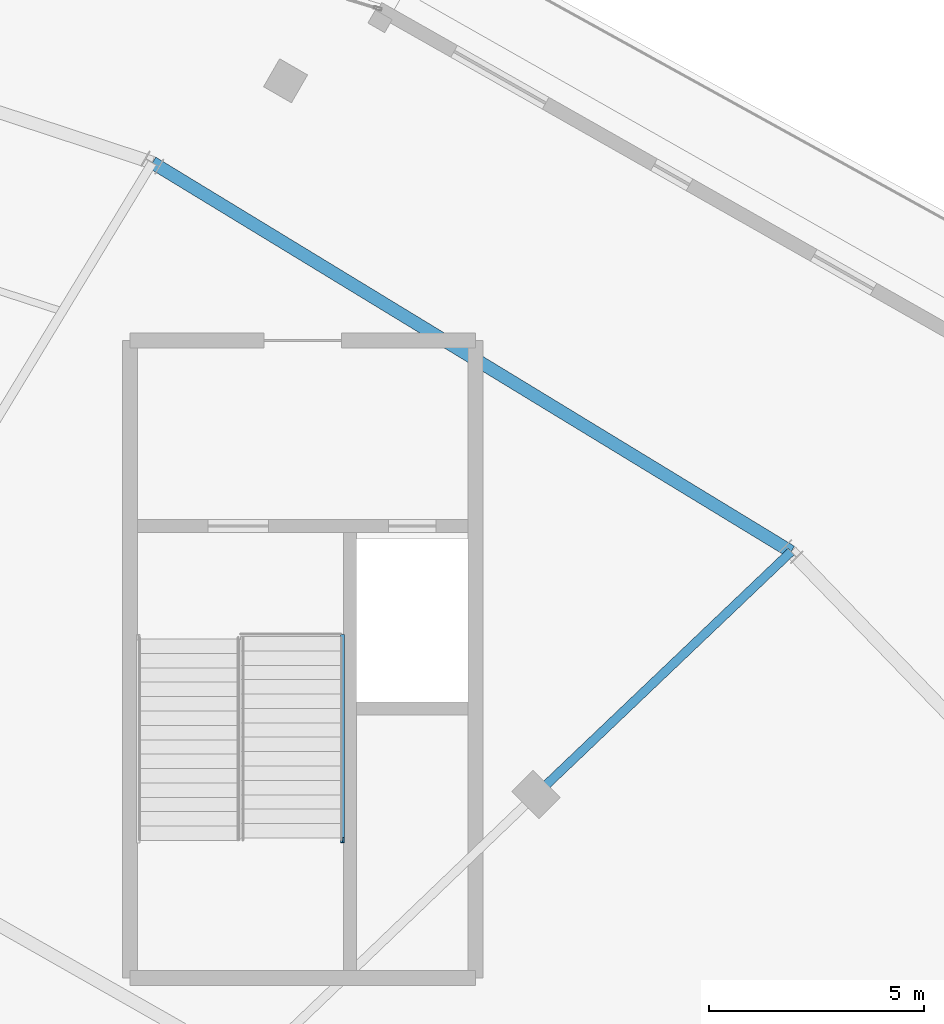
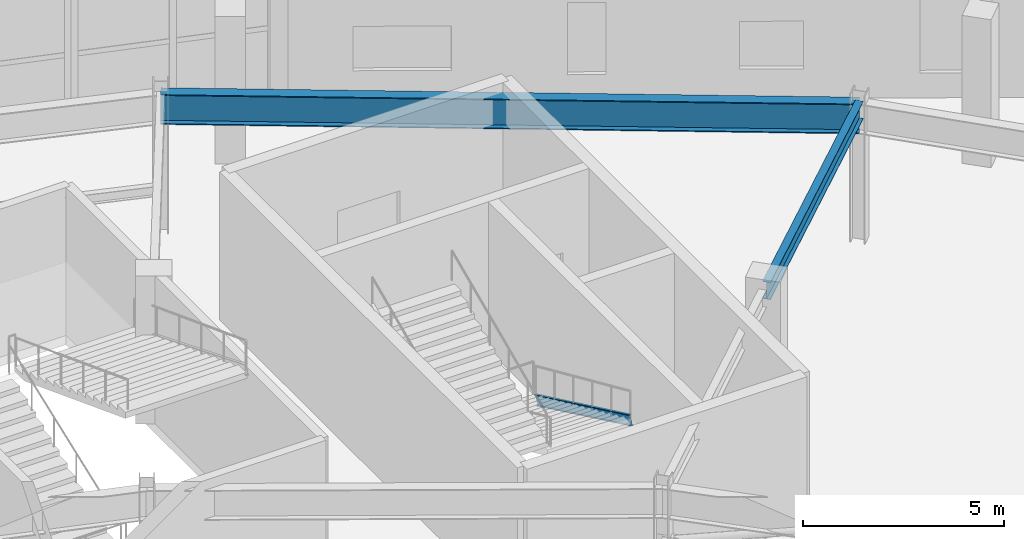
# One storey, part 70 of 123: 2 beams, 1 member.
"""IFC4 building model written with IfcOpenShell, lengths in metres."""

from ifc_helpers import new_model, si_unit, direction, frame, origin, origin_2d, place, context, subcontext, project, spatial, i_section, extrude, material, material_profile, profile_set, type_object, element, save


model = new_model("IFC4")

# Units and contexts
model_context = context("Model", 3, precision=1e-05, world=origin(), true_north=direction((0.0, 1.0)))
body_context = subcontext(model_context, "Body", "Model", "MODEL_VIEW")
ifc_project = project(units=[si_unit("LENGTHUNIT", "METRE"), si_unit("AREAUNIT", "SQUARE_METRE"), si_unit("VOLUMEUNIT", "CUBIC_METRE"), si_unit("PLANEANGLEUNIT", "RADIAN"), si_unit("MASSUNIT", "GRAM", prefix="KILO")], contexts=[model_context])

# Site, building, storey
site_placement = place(None, origin())
site = spatial("IfcSite", under=ifc_project, at=site_placement, CompositionType="ELEMENT")
building_placement = place(site_placement, origin())
building = spatial("IfcBuilding", under=site, at=building_placement, Name="Kalgoora Escarpment Arena", CompositionType="ELEMENT")
storey_placement = place(building_placement, frame((0.0, 0.0, 9.89990234375)))
storey = spatial("IfcBuildingStorey", under=building, at=storey_placement, Name="L02", CompositionType="ELEMENT", Elevation=9.89990234375)

# Beams
ifc_material_1 = material(Name="Structural steel AS/NZS 3679 (300 MPa)", Category="steel")
ifc_material_profile_1 = material_profile(ifc_material_1, i_section(OverallWidth=0.208984375, OverallDepth=0.528076171875, WebThickness=0.009521484375, FlangeThickness=0.01318359375, at=origin_2d()))
ifc_profile_set_1 = profile_set([ifc_material_profile_1], Name="Structural steel AS/NZS 3679 (300 MPa)")
beam_type_1 = type_object("IfcBeamType", Name="BM-GIRDER-530UB82.0", PredefinedType="USERDEFINED", material=ifc_profile_set_1)
beam_1_placement = place(storey_placement, frame((137.230712890625, 98.648193359375, 3.93603515625), z_axis=(0.724130144905, 0.689663347757, 0.0), x_axis=(-0.689663347757, 0.724130144905, 0.0)))
element("IfcBeam", 1, at=beam_1_placement, inside=storey, type_object=beam_type_1, Name="L02 Radial concourse girder 530UB82.0", ObjectType="GIRDER", PredefinedType="USERDEFINED", context=body_context, shape_type="SweptSolid", body=[
    extrude(i_section(OverallWidth=0.208984375, OverallDepth=0.528076171875, WebThickness=0.009521484375, FlangeThickness=0.01318359375, at=origin_2d()), origin(), (0.0, 0.0, 1.0), 8.20263671875),
])
ifc_material_2 = material(Name="Structural steel Grade 350 (350 MPa)", Category="steel")
ifc_material_profile_2 = material_profile(ifc_material_2, i_section(OverallWidth=0.300048828125, OverallDepth=0.909912109375, WebThickness=0.011962890625, FlangeThickness=0.028076171875, at=origin_2d()))
ifc_profile_set_2 = profile_set([ifc_material_profile_2], Name="Structural steel Grade 350 (350 MPa)")
beam_type_2 = type_object("IfcBeamType", Name="BM-SPANDREL-900WB218", PredefinedType="SPANDREL", material=ifc_profile_set_2)
beam_2_placement = place(storey_placement, frame((143.17041015625, 104.30517578125, 3.7451171875), z_axis=(-0.854030640858, 0.520222706613, 0.0), x_axis=(-0.520222706613, -0.854030640858, 0.0)))
element("IfcBeam", 2, at=beam_2_placement, inside=storey, type_object=beam_type_2, Name="L02 Circumferential concourse girder RCONC2 900WB218", PredefinedType="SPANDREL", context=body_context, shape_type="SweptSolid", body=[
    extrude(i_section(OverallWidth=0.300048828125, OverallDepth=0.909912109375, WebThickness=0.011962890625, FlangeThickness=0.028076171875, at=origin_2d()), origin(), (0.0, 0.0, 1.0), 17.411865234375),
])

# Member
ifc_material_3 = material(Name="Structural steel AS/NZS 3679 (300 MPa)", Category="steel")
ifc_material_profile_3 = material_profile(ifc_material_3, i_section(OverallWidth=0.090087890625, OverallDepth=0.300048828125, WebThickness=0.008056640625, FlangeThickness=0.01611328125, at=origin_2d()))
ifc_profile_set_3 = profile_set([ifc_material_profile_3], Name="Structural steel AS/NZS 3679 (300 MPa)")
member_type = type_object("IfcMemberType", Name="MEM-STRINGER-PFC", PredefinedType="STRINGER", material=ifc_profile_set_3)
member_placement = place(storey_placement, frame((132.72998046875, 102.31005859375, -0.039794921875), z_axis=(0.0, -0.902682652253, 0.430306901317), x_axis=(1.0, 0.0, 0.0)))
element("IfcMember", 3, at=member_placement, inside=storey, type_object=member_type, Name="ST04 L02 steel stair stringer 1", PredefinedType="STRINGER", context=body_context, shape_type="SweptSolid", body=[
    extrude(i_section(OverallWidth=0.090087890625, OverallDepth=0.300048828125, WebThickness=0.008056640625, FlangeThickness=0.01611328125, at=origin_2d()), origin(), (0.0, 0.0, 1.0), 5.228759765625),
])

save(model, "model.ifc")
